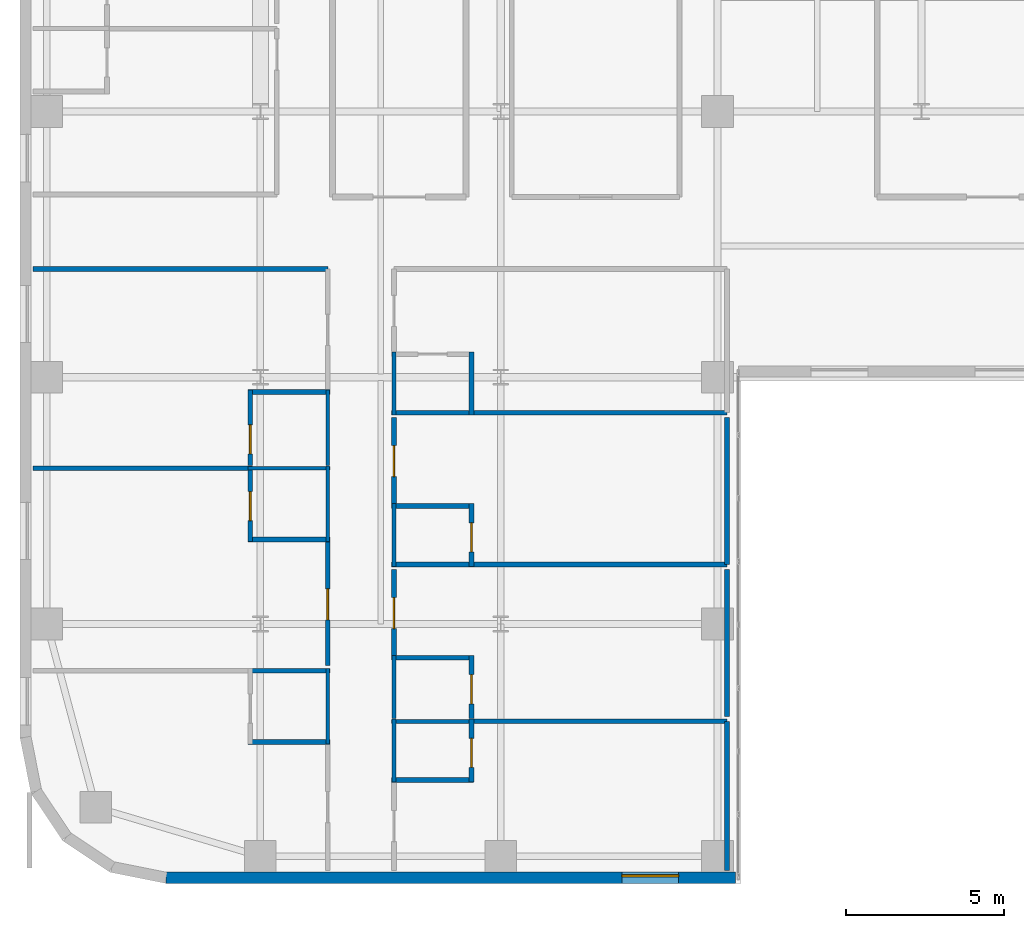
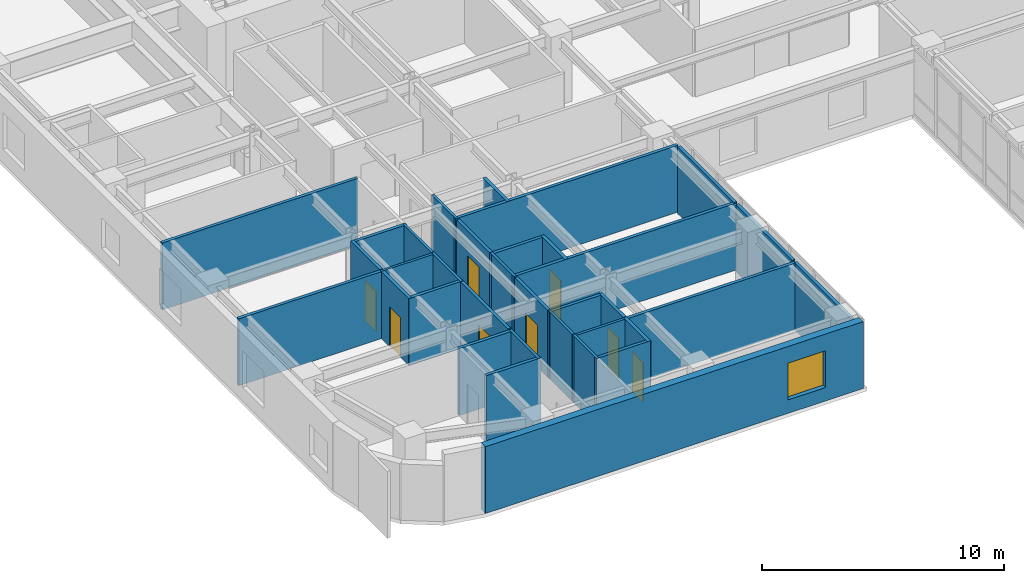
# One storey, part 10 of 17: 34 walls, 8 doors, 1 window, 9 openings.
"""IFC4 building model written with IfcOpenShell, lengths in metres."""

import ifcopenshell
import ifcopenshell.guid

model = None  # the IFC model being written
_history = None  # IfcOwnerHistory: only IFC2X3 demands one
_inside = {}  # id of a spatial element -> (the spatial element, [elements in it])
_under = {}  # id of a project, library or spatial element -> (it, [spatial elements below it])
_declared = {}  # id of a project -> (the project, [libraries it declares])
_typed = {}  # id of a type object -> (the type object, [elements of that type])
_made_of = {}  # id of a material, layer set ... -> (it, [elements and type objects made of it])


def new_model(schema):
    """Start an empty IFC model of exactly this schema.

    Asked for "IFC4X3", IfcOpenShell would pick the latest addendum, in which some entities
    have other attributes; the version numbers below select the first issue.
    IFC2X3 requires an IfcOwnerHistory on every rooted entity: one is made here for all.
    """
    global model, _history
    if schema == "IFC4X3":
        model = ifcopenshell.file(schema_version=(4, 3, 0, 0))
    else:
        model = ifcopenshell.file(schema=schema)
    _inside.clear()
    _under.clear()
    _declared.clear()
    _typed.clear()
    _made_of.clear()
    _history = None
    if model.schema == "IFC2X3":
        org = make("IfcOrganization", Name="unknown")
        user = make(
            "IfcPersonAndOrganization",
            ThePerson=make("IfcPerson", FamilyName="unknown"),
            TheOrganization=org,
        )
        app = make(
            "IfcApplication",
            ApplicationDeveloper=org,
            Version="unknown",
            ApplicationFullName="unknown",
            ApplicationIdentifier="unknown",
        )
        _history = make(
            "IfcOwnerHistory",
            OwningUser=user,
            OwningApplication=app,
            ChangeAction="ADDED",
            CreationDate=0,
        )
    return model


def make(cls, **values):
    """One entity of the class cls with the attributes given. An attribute that is None is left unset."""
    return model.create_entity(
        cls, **{name: value for name, value in values.items() if value is not None}
    )


def rooted(cls, **values):
    """An entity with a GlobalId (a new one), such as an element, a storey or a relation."""
    return make(cls, GlobalId=ifcopenshell.guid.new(), OwnerHistory=_history, **values)


def si_unit(unit_type, name, prefix=None):
    """IfcSIUnit, for example si_unit("LENGTHUNIT", "METRE", prefix="MILLI")."""
    return make("IfcSIUnit", UnitType=unit_type, Prefix=prefix, Name=name)


def assignment(units):
    """IfcUnitAssignment: the units of a project."""
    return None if units is None else make("IfcUnitAssignment", Units=units)


def point(xyz):
    """IfcCartesianPoint."""
    return None if xyz is None else make("IfcCartesianPoint", Coordinates=xyz)


def direction(xyz):
    """IfcDirection."""
    return None if xyz is None else make("IfcDirection", DirectionRatios=xyz)


def frame(location, z_axis=None, x_axis=None):
    """IfcAxis2Placement3D, a coordinate frame: its origin and axes. An axis left out is left unset."""
    return make(
        "IfcAxis2Placement3D",
        Location=point(location),
        Axis=direction(z_axis),
        RefDirection=direction(x_axis),
    )


def frame_2d(location, x_axis=None):
    """IfcAxis2Placement2D, a coordinate frame in the plane: its origin and x axis."""
    return make(
        "IfcAxis2Placement2D", Location=point(location), RefDirection=direction(x_axis)
    )


def origin():
    """The frame at (0, 0, 0) with its axes left unset."""
    return frame((0.0, 0.0, 0.0))


def place(relative_to, where):
    """IfcLocalPlacement: puts the frame where relative to a parent placement (None: the world)."""
    return make(
        "IfcLocalPlacement", PlacementRelTo=relative_to, RelativePlacement=where
    )


def context(
    kind, dimensions, precision=None, world=None, true_north=None, identifier=None
):
    """IfcGeometricRepresentationContext, for example the 3D "Model" context."""
    return make(
        "IfcGeometricRepresentationContext",
        ContextIdentifier=identifier,
        ContextType=kind,
        CoordinateSpaceDimension=dimensions,
        Precision=precision,
        WorldCoordinateSystem=world,
        TrueNorth=true_north,
    )


def subcontext(parent, identifier, kind, view, scale=None):
    """IfcGeometricRepresentationSubContext, for example "Body" below "Model"."""
    return make(
        "IfcGeometricRepresentationSubContext",
        ContextIdentifier=identifier,
        ContextType=kind,
        ParentContext=parent,
        TargetScale=scale,
        TargetView=view,
    )


def project(units=None, contexts=None):
    """IfcProject with its units and contexts."""
    return rooted(
        "IfcProject",
        Name="project",
        RepresentationContexts=contexts,
        UnitsInContext=assignment(units),
    )


def spatial(cls, under=None, at=None, **own):
    """A site, building, storey or space (cls), placed at a placement, below another one or the project."""
    s = rooted(cls, ObjectPlacement=at, **own)
    if under is not None:
        _under.setdefault(under.id(), (under, []))[1].append(s)
    return s


def profile(cls, at=None, kind="AREA", **sizes):
    """A parametric profile (cls). Its sizes go by their IFC names, for example OverallWidth=200.0."""
    return make(cls, ProfileType=kind, Position=at, **sizes)


def rectangle(**sizes):
    """IfcRectangleProfileDef."""
    return profile("IfcRectangleProfileDef", **sizes)


def extrude(swept, where, along, depth):
    """IfcExtrudedAreaSolid: the profile swept, set in the frame where, extruded along a direction by depth."""
    return make(
        "IfcExtrudedAreaSolid",
        SweptArea=swept,
        Position=where,
        ExtrudedDirection=direction(along),
        Depth=depth,
    )


def shape(context_of_items, identifier, shape_type, items):
    """IfcShapeRepresentation: the items that make up one representation, for example the "Body"."""
    return make(
        "IfcShapeRepresentation",
        ContextOfItems=context_of_items,
        RepresentationIdentifier=identifier,
        RepresentationType=shape_type,
        Items=items,
    )


def source(mapping_origin, context_of_items, identifier, shape_type, items):
    """IfcRepresentationMap: a shape defined once, which mapped items show again and again."""
    return make(
        "IfcRepresentationMap",
        MappingOrigin=mapping_origin,
        MappedRepresentation=shape(context_of_items, identifier, shape_type, items),
    )


def transform(
    local_origin,
    x_axis=None,
    y_axis=None,
    z_axis=None,
    scale=None,
    scale2=None,
    scale3=None,
    uniform=True,
):
    """IfcCartesianTransformationOperator3D, or its non-uniform kind. x_axis, y_axis, z_axis: its Axis1, 2, 3."""
    if uniform:
        return make(
            "IfcCartesianTransformationOperator3D",
            Axis1=direction(x_axis),
            Axis2=direction(y_axis),
            LocalOrigin=point(local_origin),
            Scale=scale,
            Axis3=direction(z_axis),
        )
    return make(
        "IfcCartesianTransformationOperator3DnonUniform",
        Axis1=direction(x_axis),
        Axis2=direction(y_axis),
        LocalOrigin=point(local_origin),
        Scale=scale,
        Axis3=direction(z_axis),
        Scale2=scale2,
        Scale3=scale3,
    )


def mapped(mapping_source, mapping_target):
    """IfcMappedItem: shows the shape of a source again, moved by a transform."""
    return make(
        "IfcMappedItem", MappingSource=mapping_source, MappingTarget=mapping_target
    )


def material(Name=None, Category=None):
    """IfcMaterial."""
    return make("IfcMaterial", Name=Name, Category=Category)


def layer(
    of_material, thickness, ventilated=None, Name=None, Category=None, Priority=None
):
    """IfcMaterialLayer: one layer of a wall or slab, of a material (None: an air gap)."""
    return make(
        "IfcMaterialLayer",
        Material=of_material,
        LayerThickness=thickness,
        IsVentilated=ventilated,
        Name=Name,
        Category=Category,
        Priority=Priority,
    )


def layer_set(layers, Name=None):
    """IfcMaterialLayerSet."""
    return make("IfcMaterialLayerSet", MaterialLayers=layers, LayerSetName=Name)


def made_of(thing, what):
    """Note that an element or type object is made of a material, layer set ...; save() writes the relation."""
    if what is not None:
        _made_of.setdefault(what.id(), (what, []))[1].append(thing)
    return thing


def type_object(cls, material=None, **own):
    """A type object (cls), such as IfcWallType, which elements share."""
    return made_of(rooted(cls, **own), material)


def type_shapes(of_type, sources):
    """Give a type object the sources (RepresentationMaps) that its elements show as mapped items."""
    of_type.RepresentationMaps = sources


def element(
    cls,
    number,
    at=None,
    inside=None,
    cuts=None,
    type_object=None,
    material=None,
    context=None,
    identifier="Body",
    shape_type=None,
    held_by="IfcProductDefinitionShape",
    body=None,
    shapes=None,
    **own,
):
    """One element of the class cls, such as IfcWall. Its Tag is "e" and its number.

    at: its placement. inside: the storey or other place that contains it. cuts: it is an
    opening in that element (IfcRelVoidsElement). A single representation is given by context,
    identifier, shape_type and body (its items); several are given by shapes. held_by: the class
    of the entity that holds the representations. save() writes the other relations.
    """
    e = rooted(cls, Tag="e%d" % number, ObjectPlacement=at, **own)
    if body is not None:
        shapes = [shape(context, identifier, shape_type, body)]
    if shapes is not None:
        e.Representation = make(held_by, Representations=shapes)
    if inside is not None:
        _inside.setdefault(inside.id(), (inside, []))[1].append(e)
    if cuts is not None:
        rooted(
            "IfcRelVoidsElement", RelatingBuildingElement=cuts, RelatedOpeningElement=e
        )
    if type_object is not None:
        _typed.setdefault(type_object.id(), (type_object, []))[1].append(e)
    return made_of(e, material)


def fill(opening, filler):
    """IfcRelFillsElement: the door or window that sits in an opening."""
    return rooted(
        "IfcRelFillsElement",
        RelatingOpeningElement=opening,
        RelatedBuildingElement=filler,
    )


def aggregate(whole, parts):
    """IfcRelAggregates: a whole, such as a stair, and the parts it consists of."""
    return rooted("IfcRelAggregates", RelatingObject=whole, RelatedObjects=parts)


def save(model, path):
    """Write the relations noted so far, then the file.

    IfcRelAggregates (storeys below a building ...), IfcRelContainedInSpatialStructure (elements
    in a storey), IfcRelDefinesByType, IfcRelAssociatesMaterial and IfcRelDeclares: one each for
    every whole, place, type object, material and project.
    """
    for whole, parts in _under.values():
        aggregate(whole, parts)
    for where, things in _inside.values():
        rooted(
            "IfcRelContainedInSpatialStructure",
            RelatedElements=things,
            RelatingStructure=where,
        )
    for kind, things in _typed.values():
        rooted("IfcRelDefinesByType", RelatedObjects=things, RelatingType=kind)
    for what, things in _made_of.values():
        rooted("IfcRelAssociatesMaterial", RelatedObjects=things, RelatingMaterial=what)
    for by, libraries in _declared.values():
        rooted("IfcRelDeclares", RelatingContext=by, RelatedDefinitions=libraries)
    model.write(path)


model = new_model("IFC4")

# Units and contexts
model_context = context("Model", 3, precision=1e-05, world=origin(), true_north=direction((0.0, 1.0)))
body_context = subcontext(model_context, "Body", "Model", "MODEL_VIEW")
ifc_project = project(units=[si_unit("LENGTHUNIT", "METRE"), si_unit("AREAUNIT", "SQUARE_METRE"), si_unit("VOLUMEUNIT", "CUBIC_METRE"), si_unit("PLANEANGLEUNIT", "RADIAN"), si_unit("MASSUNIT", "GRAM", prefix="KILO")], contexts=[model_context])

# Site, building, storey
site_placement = place(None, origin())
site = spatial("IfcSite", under=ifc_project, at=site_placement, CompositionType="ELEMENT")
building_placement = place(site_placement, origin())
building = spatial("IfcBuilding", under=site, at=building_placement, Name="Tolvann Quenvar Hotel", CompositionType="ELEMENT")
storey_placement = place(building_placement, frame((0.0, 0.0, 49.75)))
storey = spatial("IfcBuildingStorey", under=building, at=storey_placement, Name="L11", CompositionType="ELEMENT", Elevation=49.75)

# Wall, opening, window
ifc_material_1 = material(Name="Kiln-fired red and buff architectural clay brickwork and terracotta masonry", Category="masonry")
ifc_layer_1 = layer(ifc_material_1, 0.35009765625)
ifc_layer_set_1 = layer_set([ifc_layer_1], Name="Kiln-fired red and buff architectural clay brickwork and terracotta masonry")
wall_type_1 = type_object("IfcWallType", Name="WALL_EXT_BRICK_350", PredefinedType="SOLIDWALL", material=ifc_layer_set_1)
wall_1_placement = place(storey_placement, frame((4.6171875, 0.175048828125, 0.0), z_axis=(0.0, 0.0, 1.0), x_axis=(1.0, 0.0, 0.0)))
wall_1 = element("IfcWall", 1, at=wall_1_placement, inside=storey, type_object=wall_type_1, Name="Exterior Chicago Brick Wall L11-E04", PredefinedType="SOLIDWALL", context=body_context, shape_type="SweptSolid", body=[
    extrude(rectangle(XDim=18.0078125, YDim=0.35009765625, at=frame_2d((9.00390625, 0.0))), origin(), (0.0, 0.0, 1.0), 3.3701171875),
])
opening_1_placement = place(wall_1_placement, frame((14.406982421875, 0.0, 0.679931640625)))
opening_1 = element("IfcOpeningElement", 2, at=opening_1_placement, cuts=wall_1, Name="Opening W-03", PredefinedType="OPENING", context=body_context, shape_type="SweptSolid", body=[
    extrude(rectangle(XDim=1.800048828125, YDim=1.85009765625, at=frame_2d((0.89990234375, 0.925048828125))), frame((0.0, 0.18505859375, 0.0), z_axis=(0.0, -1.0, 0.0), x_axis=(1.0, 0.0, 0.0)), (0.0, 0.0, 1.0), 0.3701171875),
])
ifc_material_2 = material(Name="Thermally broken bronze-anodised aluminium frame with double low-E glazing", Category="aluminium")
window_type = type_object("IfcWindowType", Name="WIN_CHI_1800x2050", PartitioningType="TRIPLE_PANEL_HORIZONTAL", PredefinedType="WINDOW", material=ifc_material_2)
shared_shape_1 = source(origin(), body_context, "Body", "SweptSolid", [
    extrude(rectangle(XDim=1.800048828125, YDim=1.85009765625, at=frame_2d((0.89990234375, 0.925048828125))), frame((0.0, 0.090087890625, 0.0), z_axis=(0.0, -1.0, 0.0), x_axis=(1.0, 0.0, 0.0)), (0.0, 0.0, 1.0), 0.06005859375),
])
type_shapes(window_type, [shared_shape_1])
window_placement = place(opening_1_placement, origin())
window = element("IfcWindow", 3, at=window_placement, inside=storey, type_object=window_type, Name="Chicago Window W-03 (EW-L11-E04-W01)", OverallHeight=1.85009765625, OverallWidth=1.800048828125, PartitioningType="TRIPLE_PANEL_HORIZONTAL", PredefinedType="WINDOW", context=body_context, shape_type="MappedRepresentation", body=[
    mapped(shared_shape_1, transform((0.0, 0.0, 0.0), x_axis=(1.0, 0.0, 0.0), y_axis=(0.0, 1.0, 0.0), z_axis=(0.0, 0.0, 1.0), scale=1.0)),
])
fill(opening_1, window)

# Walls
ifc_material_3 = material(Name="Moisture-resistant acoustic plumbing wall assembly")
ifc_layer_2 = layer(ifc_material_3, 0.1201171875)
ifc_layer_set_2 = layer_set([ifc_layer_2], Name="Moisture-resistant acoustic plumbing wall assembly")
wall_type_2 = type_object("IfcWallType", Name="WALL_PART_BATH_120", PredefinedType="PLUMBINGWALL", material=ifc_layer_set_2)
wall_2_placement = place(storey_placement, frame((9.72998046875, 4.39990234375, 0.0), z_axis=(0.0, 0.0, 1.0), x_axis=(0.0, 1.0, 0.0)))
element("IfcWall", 4, at=wall_2_placement, inside=storey, type_object=wall_type_2, Name="Non-Rated Plumbing Partition PT-SPC-L11-ENS-WO01-E", PredefinedType="PLUMBINGWALL", context=body_context, shape_type="SweptSolid", body=[
    extrude(rectangle(XDim=2.39013671875, YDim=0.1201171875, at=frame_2d((1.195068359375, 0.0))), origin(), (0.0, 0.0, 1.0), 3.3701171875),
])
wall_3_placement = place(storey_placement, frame((7.2099609375, 13.1201171875, 0.0), z_axis=(0.0, 0.0, 1.0), x_axis=(1.0, 0.0, 0.0)))
element("IfcWall", 5, at=wall_3_placement, inside=storey, type_object=wall_type_2, Name="Non-Rated Plumbing Partition PT-SPC-L11-ENS-WO02-N", PredefinedType="PLUMBINGWALL", context=body_context, shape_type="SweptSolid", body=[
    extrude(rectangle(XDim=2.590087890625, YDim=0.1201171875, at=frame_2d((1.294921875, 0.0))), origin(), (0.0, 0.0, 1.0), 3.3701171875),
])
wall_4_placement = place(storey_placement, frame((9.72998046875, 10.800048828125, 0.0), z_axis=(0.0, 0.0, 1.0), x_axis=(0.0, 1.0, 0.0)))
element("IfcWall", 6, at=wall_4_placement, inside=storey, type_object=wall_type_2, Name="Non-Rated Plumbing Partition PT-SPC-L11-ENS-WO02-E", PredefinedType="PLUMBINGWALL", context=body_context, shape_type="SweptSolid", body=[
    extrude(rectangle(XDim=2.389892578125, YDim=0.1201171875, at=frame_2d((1.19482421875, 0.0))), origin(), (0.0, 0.0, 1.0), 3.3701171875),
])
wall_5_placement = place(storey_placement, frame((9.72998046875, 13.2099609375, 0.0), z_axis=(0.0, 0.0, 1.0), x_axis=(0.0, 1.0, 0.0)))
element("IfcWall", 7, at=wall_5_placement, inside=storey, type_object=wall_type_2, Name="Non-Rated Plumbing Partition PT-SPC-L11-ENS-WO03-E", PredefinedType="PLUMBINGWALL", context=body_context, shape_type="SweptSolid", body=[
    extrude(rectangle(XDim=2.39013671875, YDim=0.1201171875, at=frame_2d((1.195068359375, 0.0))), origin(), (0.0, 0.0, 1.0), 3.3701171875),
])
wall_6_placement = place(storey_placement, frame((11.75, 5.1201171875, 0.0), z_axis=(0.0, 0.0, 1.0), x_axis=(1.0, 0.0, 0.0)))
element("IfcWall", 8, at=wall_6_placement, inside=storey, type_object=wall_type_2, Name="Non-Rated Plumbing Partition PT-SPC-L11-ENS-WI01-N", PredefinedType="PLUMBINGWALL", context=body_context, shape_type="SweptSolid", body=[
    extrude(rectangle(XDim=2.590087890625, YDim=0.1201171875, at=frame_2d((1.294921875, 0.0))), origin(), (0.0, 0.0, 1.0), 3.3701171875),
])
for number, where, z_axis, x_axis, name in (
    (9, (11.820068359375, 3.199951171875, 0.0), (0.0, 0.0, 1.0), (0.0, 1.0, 0.0), "Non-Rated Plumbing Partition PT-SPC-L11-ENS-WI01-W"),
    (10, (11.820068359375, 5.2099609375, 0.0), (0.0, 0.0, 1.0), (0.0, 1.0, 0.0), "Non-Rated Plumbing Partition PT-SPC-L11-ENS-WI02-W"),
    (11, (11.820068359375, 10.010009765625, 0.0), (0.0, 0.0, 1.0), (0.0, 1.0, 0.0), "Non-Rated Plumbing Partition PT-SPC-L11-ENS-WI03-W"),
    (12, (11.820068359375, 14.81005859375, 0.0), (0.0, 0.0, 1.0), (0.0, 1.0, 0.0), "Non-Rated Plumbing Partition PT-SPC-L11-ENS-WI04-W"),
):
    element("IfcWall", number, at=place(storey_placement, frame(where, z_axis=z_axis, x_axis=x_axis)), inside=storey, type_object=wall_type_2, Name=name, PredefinedType="PLUMBINGWALL", context=body_context, shape_type="SweptSolid", body=[
        extrude(rectangle(XDim=1.989990234375, YDim=0.1201171875, at=frame_2d((0.9951171875, 0.0))), origin(), (0.0, 0.0, 1.0), 3.3701171875),
    ])
ifc_material_4 = material(Name="Acoustic twin-stud fire-rated gypsum plasterboard partition")
ifc_layer_3 = layer(ifc_material_4, 0.14990234375)
ifc_layer_set_3 = layer_set([ifc_layer_3], Name="Acoustic twin-stud fire-rated gypsum plasterboard partition")
wall_type_3 = type_object("IfcWallType", Name="WALL_PART_SUITE_150", PredefinedType="PARTITIONING", material=ifc_layer_set_3)
for number, where, z_axis, x_axis, name in (
    (13, (7.2099609375, 4.469970703125, 0.0), (0.0, 0.0, 1.0), (1.0, 0.0, 0.0), "Interior Partition PT-SPC-L11-ENS-WO01-S"),
    (14, (7.2099609375, 6.719970703125, 0.0), (0.0, 0.0, 1.0), (1.0, 0.0, 0.0), "Interior Partition PT-SPC-L11-ENS-WO01-N"),
):
    element("IfcWall", number, at=place(storey_placement, frame(where, z_axis=z_axis, x_axis=x_axis)), inside=storey, type_object=wall_type_3, Name=name, PredefinedType="PARTITIONING", context=body_context, shape_type="SweptSolid", body=[
        extrude(rectangle(XDim=2.590087890625, YDim=0.14990234375, at=frame_2d((1.294921875, 0.0))), origin(), (0.0, 0.0, 1.0), 3.3701171875),
    ])

# Wall, opening, door
wall_7_placement = place(storey_placement, frame((7.280029296875, 10.800048828125, 0.0), z_axis=(0.0, 0.0, 1.0), x_axis=(0.0, 1.0, 0.0)))
wall_7 = element("IfcWall", 15, at=wall_7_placement, inside=storey, type_object=wall_type_3, Name="Interior Partition PT-SPC-L11-ENS-WO02-ENT", PredefinedType="PARTITIONING", context=body_context, shape_type="SweptSolid", body=[
    extrude(rectangle(XDim=2.389892578125, YDim=0.14990234375, at=frame_2d((1.19482421875, 0.0))), origin(), (0.0, 0.0, 1.0), 3.3701171875),
])
opening_2_placement = place(wall_7_placement, frame((0.6650390625, 0.0, 0.0)))
opening_2 = element("IfcOpeningElement", 16, at=opening_2_placement, cuts=wall_7, Name="Opening WD-01", PredefinedType="OPENING", context=body_context, shape_type="SweptSolid", body=[
    extrude(rectangle(XDim=0.919921875, YDim=2.010009765625, at=frame_2d((0.4599609375, 1.0048828125))), frame((0.0, 0.0849609375, 0.0), z_axis=(0.0, -1.0, 0.0), x_axis=(1.0, 0.0, 0.0)), (0.0, 0.0, 1.0), 0.169921875),
])
ifc_material_5 = material(Name="Solid-core American oak acoustic fire door leaf in steel frame", Category="steel")
door_type_1 = type_object("IfcDoorType", Name="DOOR_WC_920", OperationType="NOTDEFINED", PredefinedType="DOOR", material=ifc_material_5)
shared_shape_2 = source(origin(), body_context, "Body", "SweptSolid", [
    extrude(rectangle(XDim=0.919921875, YDim=2.010009765625, at=frame_2d((0.4599609375, 1.0048828125))), frame((0.0, 0.02490234375, 0.0), z_axis=(0.0, -1.0, 0.0), x_axis=(1.0, 0.0, 0.0)), (0.0, 0.0, 1.0), 0.050048828125),
])
type_shapes(door_type_1, [shared_shape_2])
door_1_placement = place(opening_2_placement, origin())
door_1 = element("IfcDoor", 17, at=door_1_placement, inside=storey, type_object=door_type_1, Name="Interior Door DOOR-SPC-L11-ENS-WO02", OperationType="SINGLE_SWING_LEFT", OverallHeight=2.010009765625, OverallWidth=0.919921875, PredefinedType="DOOR", context=body_context, shape_type="MappedRepresentation", body=[
    mapped(shared_shape_2, transform((0.0, 0.0, 0.0), x_axis=(1.0, 0.0, 0.0), y_axis=(0.0, 1.0, 0.0), z_axis=(0.0, 0.0, 1.0), scale=1.0)),
])
fill(opening_2, door_1)

# Wall
wall_8_placement = place(storey_placement, frame((7.2099609375, 10.8701171875, 0.0), z_axis=(0.0, 0.0, 1.0), x_axis=(1.0, 0.0, 0.0)))
element("IfcWall", 18, at=wall_8_placement, inside=storey, type_object=wall_type_3, Name="Interior Partition PT-SPC-L11-ENS-WO02-S", PredefinedType="PARTITIONING", context=body_context, shape_type="SweptSolid", body=[
    extrude(rectangle(XDim=2.590087890625, YDim=0.14990234375, at=frame_2d((1.294921875, 0.0))), origin(), (0.0, 0.0, 1.0), 3.3701171875),
])

# Wall, opening, door
wall_9_placement = place(storey_placement, frame((7.280029296875, 13.2099609375, 0.0), z_axis=(0.0, 0.0, 1.0), x_axis=(0.0, 1.0, 0.0)))
wall_9 = element("IfcWall", 19, at=wall_9_placement, inside=storey, type_object=wall_type_3, Name="Interior Partition PT-SPC-L11-ENS-WO03-ENT", PredefinedType="PARTITIONING", context=body_context, shape_type="SweptSolid", body=[
    extrude(rectangle(XDim=2.39013671875, YDim=0.14990234375, at=frame_2d((1.195068359375, 0.0))), origin(), (0.0, 0.0, 1.0), 3.3701171875),
])
opening_3_placement = place(wall_9_placement, frame((0.364990234375, 0.0, 0.0)))
opening_3 = element("IfcOpeningElement", 20, at=opening_3_placement, cuts=wall_9, Name="Opening WD-01", PredefinedType="OPENING", context=body_context, shape_type="SweptSolid", body=[
    extrude(rectangle(XDim=0.919921875, YDim=2.010009765625, at=frame_2d((0.4599609375, 1.0048828125))), frame((0.0, 0.0849609375, 0.0), z_axis=(0.0, -1.0, 0.0), x_axis=(1.0, 0.0, 0.0)), (0.0, 0.0, 1.0), 0.169921875),
])
door_2_placement = place(opening_3_placement, origin())
door_2 = element("IfcDoor", 21, at=door_2_placement, inside=storey, type_object=door_type_1, Name="Interior Door DOOR-SPC-L11-ENS-WO03", OperationType="SINGLE_SWING_RIGHT", OverallHeight=2.010009765625, OverallWidth=0.919921875, PredefinedType="DOOR", context=body_context, shape_type="MappedRepresentation", body=[
    mapped(shared_shape_2, transform((0.0, 0.0, 0.0), x_axis=(1.0, 0.0, 0.0), y_axis=(0.0, 1.0, 0.0), z_axis=(0.0, 0.0, 1.0), scale=1.0)),
])
fill(opening_3, door_2)

# Wall
wall_10_placement = place(storey_placement, frame((7.2099609375, 15.530029296875, 0.0), z_axis=(0.0, 0.0, 1.0), x_axis=(1.0, 0.0, 0.0)))
element("IfcWall", 22, at=wall_10_placement, inside=storey, type_object=wall_type_3, Name="Interior Partition PT-SPC-L11-ENS-WO03-N", PredefinedType="PARTITIONING", context=body_context, shape_type="SweptSolid", body=[
    extrude(rectangle(XDim=2.590087890625, YDim=0.14990234375, at=frame_2d((1.294921875, 0.0))), origin(), (0.0, 0.0, 1.0), 3.3701171875),
])

# Wall, opening, door
wall_11_placement = place(storey_placement, frame((14.27001953125, 3.199951171875, 0.0), z_axis=(0.0, 0.0, 1.0), x_axis=(0.0, 1.0, 0.0)))
wall_11 = element("IfcWall", 23, at=wall_11_placement, inside=storey, type_object=wall_type_3, Name="Interior Partition PT-SPC-L11-ENS-WI01-ENT", PredefinedType="PARTITIONING", context=body_context, shape_type="SweptSolid", body=[
    extrude(rectangle(XDim=1.989990234375, YDim=0.14990234375, at=frame_2d((0.9951171875, 0.0))), origin(), (0.0, 0.0, 1.0), 3.3701171875),
])
opening_4_placement = place(wall_11_placement, frame((0.465087890625, 0.0, 0.0)))
opening_4 = element("IfcOpeningElement", 24, at=opening_4_placement, cuts=wall_11, Name="Opening WD-01", PredefinedType="OPENING", context=body_context, shape_type="SweptSolid", body=[
    extrude(rectangle(XDim=0.919921875, YDim=2.010009765625, at=frame_2d((0.4599609375, 1.0048828125))), frame((0.0, 0.0849609375, 0.0), z_axis=(0.0, -1.0, 0.0), x_axis=(1.0, 0.0, 0.0)), (0.0, 0.0, 1.0), 0.169921875),
])
door_3_placement = place(opening_4_placement, origin())
door_3 = element("IfcDoor", 25, at=door_3_placement, inside=storey, type_object=door_type_1, Name="Interior Door DOOR-SPC-L11-ENS-WI01", OperationType="SINGLE_SWING_LEFT", OverallHeight=2.010009765625, OverallWidth=0.919921875, PredefinedType="DOOR", context=body_context, shape_type="MappedRepresentation", body=[
    mapped(shared_shape_2, transform((0.0, 0.0, 0.0), x_axis=(1.0, 0.0, 0.0), y_axis=(0.0, 1.0, 0.0), z_axis=(0.0, 0.0, 1.0), scale=1.0)),
])
fill(opening_4, door_3)

# Wall
wall_12_placement = place(storey_placement, frame((11.75, 3.27001953125, 0.0), z_axis=(0.0, 0.0, 1.0), x_axis=(1.0, 0.0, 0.0)))
element("IfcWall", 26, at=wall_12_placement, inside=storey, type_object=wall_type_3, Name="Interior Partition PT-SPC-L11-ENS-WI01-S", PredefinedType="PARTITIONING", context=body_context, shape_type="SweptSolid", body=[
    extrude(rectangle(XDim=2.590087890625, YDim=0.14990234375, at=frame_2d((1.294921875, 0.0))), origin(), (0.0, 0.0, 1.0), 3.3701171875),
])

# Wall, opening, door
wall_13_placement = place(storey_placement, frame((14.27001953125, 5.2099609375, 0.0), z_axis=(0.0, 0.0, 1.0), x_axis=(0.0, 1.0, 0.0)))
wall_13 = element("IfcWall", 27, at=wall_13_placement, inside=storey, type_object=wall_type_3, Name="Interior Partition PT-SPC-L11-ENS-WI02-ENT", PredefinedType="PARTITIONING", context=body_context, shape_type="SweptSolid", body=[
    extrude(rectangle(XDim=1.989990234375, YDim=0.14990234375, at=frame_2d((0.9951171875, 0.0))), origin(), (0.0, 0.0, 1.0), 3.3701171875),
])
opening_5_placement = place(wall_13_placement, frame((0.465087890625, 0.0, 0.0)))
opening_5 = element("IfcOpeningElement", 28, at=opening_5_placement, cuts=wall_13, Name="Opening WD-01", PredefinedType="OPENING", context=body_context, shape_type="SweptSolid", body=[
    extrude(rectangle(XDim=0.919921875, YDim=2.010009765625, at=frame_2d((0.4599609375, 1.0048828125))), frame((0.0, 0.0849609375, 0.0), z_axis=(0.0, -1.0, 0.0), x_axis=(1.0, 0.0, 0.0)), (0.0, 0.0, 1.0), 0.169921875),
])
door_4_placement = place(opening_5_placement, origin())
door_4 = element("IfcDoor", 29, at=door_4_placement, inside=storey, type_object=door_type_1, Name="Interior Door DOOR-SPC-L11-ENS-WI02", OperationType="SINGLE_SWING_RIGHT", OverallHeight=2.010009765625, OverallWidth=0.919921875, PredefinedType="DOOR", context=body_context, shape_type="MappedRepresentation", body=[
    mapped(shared_shape_2, transform((0.0, 0.0, 0.0), x_axis=(1.0, 0.0, 0.0), y_axis=(0.0, 1.0, 0.0), z_axis=(0.0, 0.0, 1.0), scale=1.0)),
])
fill(opening_5, door_4)

# Wall
wall_14_placement = place(storey_placement, frame((11.75, 7.1298828125, 0.0), z_axis=(0.0, 0.0, 1.0), x_axis=(1.0, 0.0, 0.0)))
element("IfcWall", 30, at=wall_14_placement, inside=storey, type_object=wall_type_3, Name="Interior Partition PT-SPC-L11-ENS-WI02-N", PredefinedType="PARTITIONING", context=body_context, shape_type="SweptSolid", body=[
    extrude(rectangle(XDim=2.590087890625, YDim=0.14990234375, at=frame_2d((1.294921875, 0.0))), origin(), (0.0, 0.0, 1.0), 3.3701171875),
])

# Wall, opening, door
wall_15_placement = place(storey_placement, frame((14.27001953125, 10.010009765625, 0.0), z_axis=(0.0, 0.0, 1.0), x_axis=(0.0, 1.0, 0.0)))
wall_15 = element("IfcWall", 31, at=wall_15_placement, inside=storey, type_object=wall_type_3, Name="Interior Partition PT-SPC-L11-ENS-WI03-ENT", PredefinedType="PARTITIONING", context=body_context, shape_type="SweptSolid", body=[
    extrude(rectangle(XDim=1.989990234375, YDim=0.14990234375, at=frame_2d((0.9951171875, 0.0))), origin(), (0.0, 0.0, 1.0), 3.3701171875),
])
opening_6_placement = place(wall_15_placement, frame((0.465087890625, 0.0, 0.0)))
opening_6 = element("IfcOpeningElement", 32, at=opening_6_placement, cuts=wall_15, Name="Opening WD-01", PredefinedType="OPENING", context=body_context, shape_type="SweptSolid", body=[
    extrude(rectangle(XDim=0.919921875, YDim=2.010009765625, at=frame_2d((0.4599609375, 1.0048828125))), frame((0.0, 0.0849609375, 0.0), z_axis=(0.0, -1.0, 0.0), x_axis=(1.0, 0.0, 0.0)), (0.0, 0.0, 1.0), 0.169921875),
])
door_5_placement = place(opening_6_placement, origin())
door_5 = element("IfcDoor", 33, at=door_5_placement, inside=storey, type_object=door_type_1, Name="Interior Door DOOR-SPC-L11-ENS-WI03", OperationType="SINGLE_SWING_LEFT", OverallHeight=2.010009765625, OverallWidth=0.919921875, PredefinedType="DOOR", context=body_context, shape_type="MappedRepresentation", body=[
    mapped(shared_shape_2, transform((0.0, 0.0, 0.0), x_axis=(1.0, 0.0, 0.0), y_axis=(0.0, 1.0, 0.0), z_axis=(0.0, 0.0, 1.0), scale=1.0)),
])
fill(opening_6, door_5)

# Walls
wall_16_placement = place(storey_placement, frame((11.75, 10.080078125, 0.0), z_axis=(0.0, 0.0, 1.0), x_axis=(1.0, 0.0, 0.0)))
element("IfcWall", 34, at=wall_16_placement, inside=storey, type_object=wall_type_3, Name="Interior Partition PT-SPC-L11-ENS-WI03-S", PredefinedType="PARTITIONING", context=body_context, shape_type="SweptSolid", body=[
    extrude(rectangle(XDim=10.60009765625, YDim=0.14990234375, at=frame_2d((5.300048828125, 0.0))), origin(), (0.0, 0.0, 1.0), 3.3701171875),
])
wall_17_placement = place(storey_placement, frame((11.75, 11.929931640625, 0.0), z_axis=(0.0, 0.0, 1.0), x_axis=(1.0, 0.0, 0.0)))
element("IfcWall", 35, at=wall_17_placement, inside=storey, type_object=wall_type_3, Name="Interior Partition PT-SPC-L11-ENS-WI03-N", PredefinedType="PARTITIONING", context=body_context, shape_type="SweptSolid", body=[
    extrude(rectangle(XDim=2.590087890625, YDim=0.14990234375, at=frame_2d((1.294921875, 0.0))), origin(), (0.0, 0.0, 1.0), 3.3701171875),
])
wall_18_placement = place(storey_placement, frame((14.27001953125, 14.81005859375, 0.0), z_axis=(0.0, 0.0, 1.0), x_axis=(0.0, 1.0, 0.0)))
element("IfcWall", 36, at=wall_18_placement, inside=storey, type_object=wall_type_3, Name="Interior Partition PT-SPC-L11-ENS-WI04-ENT", PredefinedType="PARTITIONING", context=body_context, shape_type="SweptSolid", body=[
    extrude(rectangle(XDim=1.989990234375, YDim=0.14990234375, at=frame_2d((0.9951171875, 0.0))), origin(), (0.0, 0.0, 1.0), 3.3701171875),
])
wall_19_placement = place(storey_placement, frame((11.75, 14.8798828125, 0.0), z_axis=(0.0, 0.0, 1.0), x_axis=(1.0, 0.0, 0.0)))
element("IfcWall", 37, at=wall_19_placement, inside=storey, type_object=wall_type_3, Name="Interior Partition PT-SPC-L11-ENS-WI04-S", PredefinedType="PARTITIONING", context=body_context, shape_type="SweptSolid", body=[
    extrude(rectangle(XDim=10.60009765625, YDim=0.14990234375, at=frame_2d((5.300048828125, 0.0))), origin(), (0.0, 0.0, 1.0), 3.3701171875),
])

# Wall, opening, door
wall_20_placement = place(storey_placement, frame((9.72998046875, 6.8798828125, 0.0), z_axis=(0.0, 0.0, 1.0), x_axis=(0.0, 1.0, 0.0)))
wall_20 = element("IfcWall", 38, at=wall_20_placement, inside=storey, type_object=wall_type_3, Name="Interior Partition PT-SPC-L11-RM-WO02-ENT", PredefinedType="PARTITIONING", context=body_context, shape_type="SweptSolid", body=[
    extrude(rectangle(XDim=3.91015625, YDim=0.14990234375, at=frame_2d((1.955078125, 0.0))), origin(), (0.0, 0.0, 1.0), 3.3701171875),
])
opening_7_placement = place(wall_20_placement, frame((1.445068359375, 0.0, 0.0)))
opening_7 = element("IfcOpeningElement", 39, at=opening_7_placement, cuts=wall_20, Name="Opening SD-01", PredefinedType="OPENING", context=body_context, shape_type="SweptSolid", body=[
    extrude(rectangle(XDim=0.97998046875, YDim=2.1201171875, at=frame_2d((0.489990234375, 1.06005859375))), frame((0.0, 0.0849609375, 0.0), z_axis=(0.0, -1.0, 0.0), x_axis=(1.0, 0.0, 0.0)), (0.0, 0.0, 1.0), 0.169921875),
])
door_type_2 = type_object("IfcDoorType", Name="DOOR_SUITE_980", OperationType="NOTDEFINED", PredefinedType="DOOR", material=ifc_material_5)
shared_shape_3 = source(origin(), body_context, "Body", "SweptSolid", [
    extrude(rectangle(XDim=0.97998046875, YDim=2.1201171875, at=frame_2d((0.489990234375, 1.06005859375))), frame((0.0, 0.02490234375, 0.0), z_axis=(0.0, -1.0, 0.0), x_axis=(1.0, 0.0, 0.0)), (0.0, 0.0, 1.0), 0.050048828125),
])
type_shapes(door_type_2, [shared_shape_3])
door_6_placement = place(opening_7_placement, origin())
door_6 = element("IfcDoor", 40, at=door_6_placement, inside=storey, type_object=door_type_2, Name="Interior Door DOOR-SPC-L11-RM-WO02", OperationType="SINGLE_SWING_RIGHT", OverallHeight=2.1201171875, OverallWidth=0.97998046875, PredefinedType="DOOR", context=body_context, shape_type="MappedRepresentation", body=[
    mapped(shared_shape_3, transform((0.0, 0.0, 0.0), x_axis=(1.0, 0.0, 0.0), y_axis=(0.0, 1.0, 0.0), z_axis=(0.0, 0.0, 1.0), scale=1.0)),
])
fill(opening_7, door_6)

# Walls
wall_21_placement = place(storey_placement, frame((0.405029296875, 13.1201171875, 0.0), z_axis=(0.0, 0.0, 1.0), x_axis=(1.0, 0.0, 0.0)))
element("IfcWall", 41, at=wall_21_placement, inside=storey, type_object=wall_type_3, Name="Interior Partition PT-SPC-L11-RM-WO02-E5", PredefinedType="PARTITIONING", context=body_context, shape_type="SweptSolid", body=[
    extrude(rectangle(XDim=6.85498046875, YDim=0.14990234375, at=frame_2d((3.427490234375, 0.0))), origin(), (0.0, 0.0, 1.0), 3.3701171875),
])
wall_22_placement = place(storey_placement, frame((0.405029296875, 19.419921875, 0.0), z_axis=(0.0, 0.0, 1.0), x_axis=(1.0, 0.0, 0.0)))
element("IfcWall", 42, at=wall_22_placement, inside=storey, type_object=wall_type_3, Name="Interior Partition PT-SPC-L11-RM-WO03-E5", PredefinedType="PARTITIONING", context=body_context, shape_type="SweptSolid", body=[
    extrude(rectangle(XDim=9.324951171875, YDim=0.14990234375, at=frame_2d((4.66259765625, 0.0))), origin(), (0.0, 0.0, 1.0), 3.3701171875),
])
wall_23_placement = place(storey_placement, frame((22.35009765625, 0.405029296875, 0.0), z_axis=(0.0, 0.0, 1.0), x_axis=(0.0, 1.0, 0.0)))
element("IfcWall", 43, at=wall_23_placement, inside=storey, type_object=wall_type_3, Name="Interior Partition PT-SPC-L11-RM-WI01-E2", PredefinedType="PARTITIONING", context=body_context, shape_type="SweptSolid", body=[
    extrude(rectangle(XDim=4.715087890625, YDim=0.14990234375, at=frame_2d((2.357421875, 0.0))), origin(), (0.0, 0.0, 1.0), 3.3701171875),
])
wall_24_placement = place(storey_placement, frame((14.2900390625, 5.1201171875, 0.0), z_axis=(0.0, 0.0, 1.0), x_axis=(1.0, 0.0, 0.0)))
element("IfcWall", 44, at=wall_24_placement, inside=storey, type_object=wall_type_3, Name="Interior Partition PT-SPC-L11-RM-WI01-E3", PredefinedType="PARTITIONING", context=body_context, shape_type="SweptSolid", body=[
    extrude(rectangle(XDim=8.06005859375, YDim=0.14990234375, at=frame_2d((4.030029296875, 0.0))), origin(), (0.0, 0.0, 1.0), 3.3701171875),
])

# Wall, opening, door
wall_25_placement = place(storey_placement, frame((11.820068359375, 7.2099609375, 0.0), z_axis=(0.0, 0.0, 1.0), x_axis=(0.0, 1.0, 0.0)))
wall_25 = element("IfcWall", 45, at=wall_25_placement, inside=storey, type_object=wall_type_3, Name="Interior Partition PT-SPC-L11-RM-WI02-ENT", PredefinedType="PARTITIONING", context=body_context, shape_type="SweptSolid", body=[
    extrude(rectangle(XDim=2.7099609375, YDim=0.14990234375, at=frame_2d((1.35498046875, 0.0))), origin(), (0.0, 0.0, 1.0), 3.3701171875),
])
opening_8_placement = place(wall_25_placement, frame((0.844970703125, 0.0, 0.0)))
opening_8 = element("IfcOpeningElement", 46, at=opening_8_placement, cuts=wall_25, Name="Opening SD-01", PredefinedType="OPENING", context=body_context, shape_type="SweptSolid", body=[
    extrude(rectangle(XDim=0.97998046875, YDim=2.1201171875, at=frame_2d((0.489990234375, 1.06005859375))), frame((0.0, 0.0849609375, 0.0), z_axis=(0.0, -1.0, 0.0), x_axis=(1.0, 0.0, 0.0)), (0.0, 0.0, 1.0), 0.169921875),
])
door_7_placement = place(opening_8_placement, origin())
door_7 = element("IfcDoor", 47, at=door_7_placement, inside=storey, type_object=door_type_2, Name="Interior Door DOOR-SPC-L11-RM-WI02", OperationType="SINGLE_SWING_LEFT", OverallHeight=2.1201171875, OverallWidth=0.97998046875, PredefinedType="DOOR", context=body_context, shape_type="MappedRepresentation", body=[
    mapped(shared_shape_3, transform((0.0, 0.0, 0.0), x_axis=(1.0, 0.0, 0.0), y_axis=(0.0, 1.0, 0.0), z_axis=(0.0, 0.0, 1.0), scale=1.0)),
])
fill(opening_8, door_7)

# Wall
wall_26_placement = place(storey_placement, frame((22.35009765625, 5.280029296875, 0.0), z_axis=(0.0, 0.0, 1.0), x_axis=(0.0, 1.0, 0.0)))
element("IfcWall", 48, at=wall_26_placement, inside=storey, type_object=wall_type_3, Name="Interior Partition PT-SPC-L11-RM-WI02-E4", PredefinedType="PARTITIONING", context=body_context, shape_type="SweptSolid", body=[
    extrude(rectangle(XDim=4.639892578125, YDim=0.14990234375, at=frame_2d((2.31982421875, 0.0))), origin(), (0.0, 0.0, 1.0), 3.3701171875),
])

# Wall, opening, door
wall_27_placement = place(storey_placement, frame((11.820068359375, 12.010009765625, 0.0), z_axis=(0.0, 0.0, 1.0), x_axis=(0.0, 1.0, 0.0)))
wall_27 = element("IfcWall", 49, at=wall_27_placement, inside=storey, type_object=wall_type_3, Name="Interior Partition PT-SPC-L11-RM-WI03-ENT", PredefinedType="PARTITIONING", context=body_context, shape_type="SweptSolid", body=[
    extrude(rectangle(XDim=2.7099609375, YDim=0.14990234375, at=frame_2d((1.35498046875, 0.0))), origin(), (0.0, 0.0, 1.0), 3.3701171875),
])
opening_9_placement = place(wall_27_placement, frame((0.844970703125, 0.0, 0.0)))
opening_9 = element("IfcOpeningElement", 50, at=opening_9_placement, cuts=wall_27, Name="Opening SD-01", PredefinedType="OPENING", context=body_context, shape_type="SweptSolid", body=[
    extrude(rectangle(XDim=0.97998046875, YDim=2.1201171875, at=frame_2d((0.489990234375, 1.06005859375))), frame((0.0, 0.0849609375, 0.0), z_axis=(0.0, -1.0, 0.0), x_axis=(1.0, 0.0, 0.0)), (0.0, 0.0, 1.0), 0.169921875),
])
door_8_placement = place(opening_9_placement, origin())
door_8 = element("IfcDoor", 51, at=door_8_placement, inside=storey, type_object=door_type_2, Name="Interior Door DOOR-SPC-L11-RM-WI03", OperationType="SINGLE_SWING_RIGHT", OverallHeight=2.1201171875, OverallWidth=0.97998046875, PredefinedType="DOOR", context=body_context, shape_type="MappedRepresentation", body=[
    mapped(shared_shape_3, transform((0.0, 0.0, 0.0), x_axis=(1.0, 0.0, 0.0), y_axis=(0.0, 1.0, 0.0), z_axis=(0.0, 0.0, 1.0), scale=1.0)),
])
fill(opening_9, door_8)

# Wall
wall_28_placement = place(storey_placement, frame((22.35009765625, 10.080078125, 0.0), z_axis=(0.0, 0.0, 1.0), x_axis=(0.0, 1.0, 0.0)))
element("IfcWall", 52, at=wall_28_placement, inside=storey, type_object=wall_type_3, Name="Interior Partition PT-SPC-L11-RM-WI03-E4", PredefinedType="PARTITIONING", context=body_context, shape_type="SweptSolid", body=[
    extrude(rectangle(XDim=4.639892578125, YDim=0.14990234375, at=frame_2d((2.31982421875, 0.0))), origin(), (0.0, 0.0, 1.0), 3.3701171875),
])

save(model, "model.ifc")
